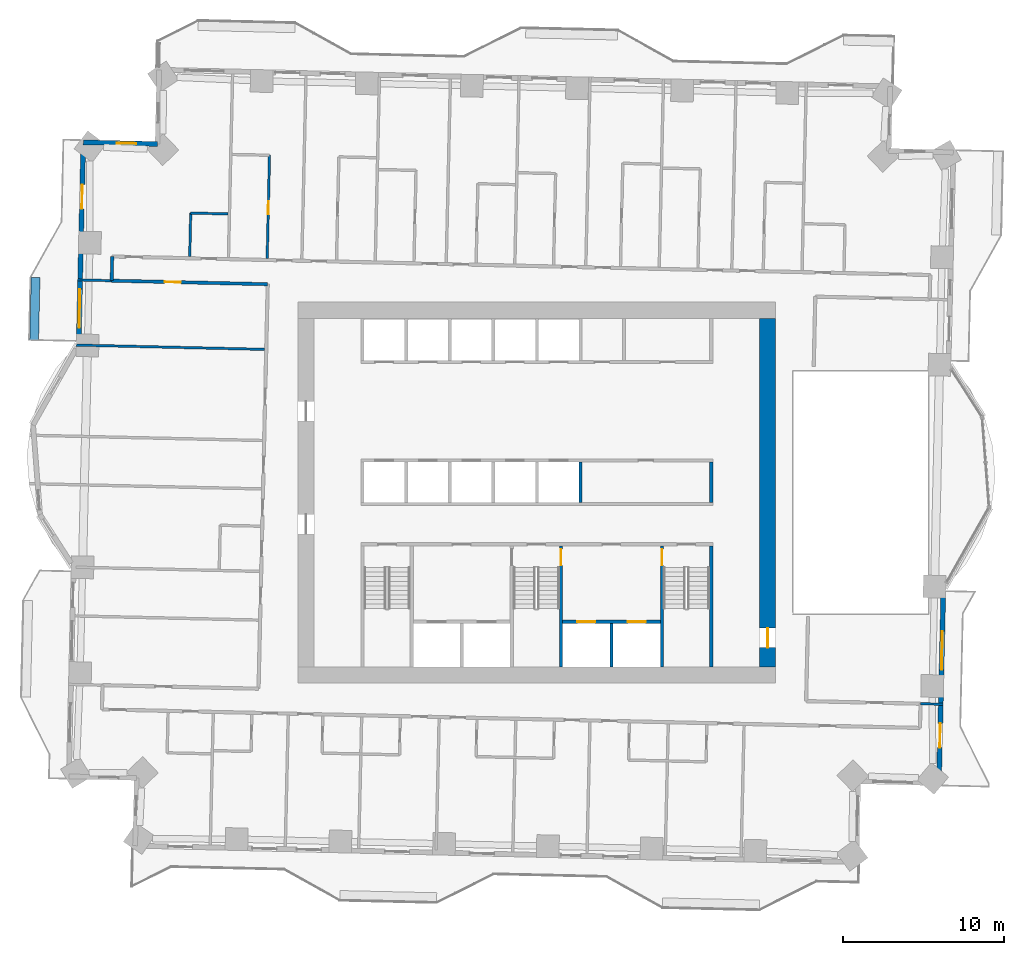
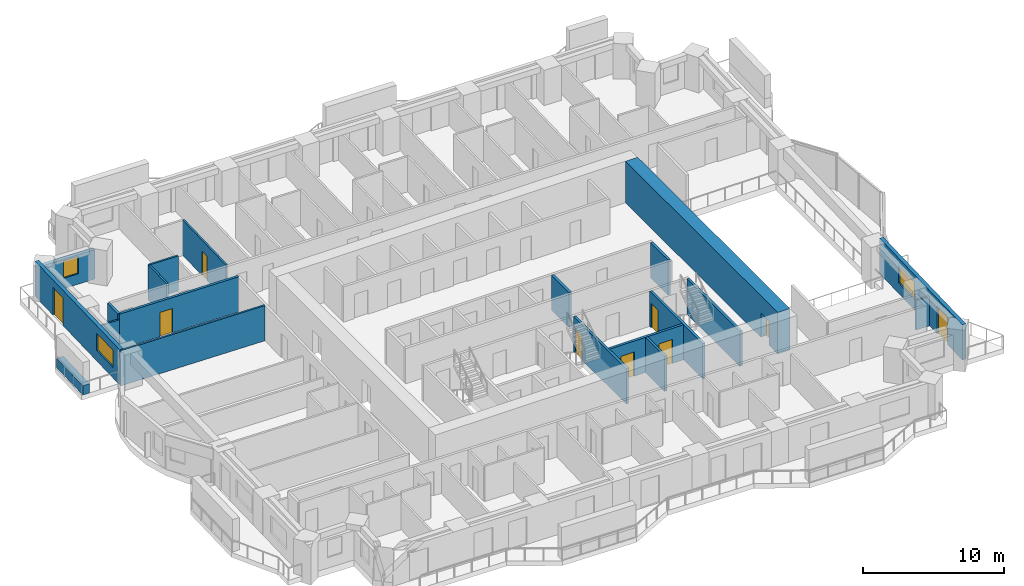
# One storey, part 9 of 16: 20 walls, 9 doors, 3 windows, 12 openings.
"""IFC4 building model written with IfcOpenShell, lengths in metres."""

from ifc_helpers import new_model, si_unit, direction, frame, frame_2d, origin, place, context, subcontext, project, spatial, rectangle, extrude, material, layer, layer_set, type_object, element, fill, save


model = new_model("IFC4")

# Units and contexts
model_context = context("Model", 3, precision=1e-05, world=origin(), true_north=direction((0.0, 1.0)))
body_context = subcontext(model_context, "Body", "Model", "MODEL_VIEW")
ifc_project = project(units=[si_unit("LENGTHUNIT", "METRE"), si_unit("AREAUNIT", "SQUARE_METRE"), si_unit("VOLUMEUNIT", "CUBIC_METRE"), si_unit("PLANEANGLEUNIT", "RADIAN"), si_unit("MASSUNIT", "GRAM", prefix="KILO")], contexts=[model_context])

# Site, building, storey
site_placement = place(None, origin())
site = spatial("IfcSite", under=ifc_project, at=site_placement, CompositionType="ELEMENT")
building_placement = place(site_placement, origin())
building = spatial("IfcBuilding", under=site, at=building_placement, Name="Mangrove Gate Tower", CompositionType="ELEMENT")
storey_placement = place(building_placement, frame((0.0, 0.0, 101.89990234375)))
storey = spatial("IfcBuildingStorey", under=building, at=storey_placement, Name="L25", CompositionType="ELEMENT", Elevation=101.89990234375)

# Wall
ifc_material_1 = material(Name="Concrete C32/40", Category="concrete")
ifc_layer_1 = layer(ifc_material_1, 0.199951171875)
ifc_layer_set_1 = layer_set([ifc_layer_1], Name="Core room wall 200 C32/40")
wall_type_1 = type_object("IfcWallType", Name="Core room wall 200 C32/40", PredefinedType="STANDARD", material=ifc_layer_set_1)
wall_1_placement = place(storey_placement, frame((10.800048828125, -0.60009765625, 0.0), z_axis=(0.0, 0.0, 1.0), x_axis=(0.0, 1.0, 0.0)))
element("IfcWall", 1, at=wall_1_placement, inside=storey, type_object=wall_type_1, Name="WALL-L25-CORE-25", PredefinedType="STANDARD", context=body_context, shape_type="SweptSolid", body=[
    extrude(rectangle(XDim=2.5, YDim=0.199951171875, at=frame_2d((1.25, 0.0))), origin(), (0.0, 0.0, 1.0), 3.050048828125),
])

# Wall, openings, doors
ifc_material_2 = material(Name="Concrete C70/85", Category="concrete")
ifc_layer_2 = layer(ifc_material_2, 0.199951171875)
ifc_layer_set_2 = layer_set([ifc_layer_2], Name="Core shaft wall 200 C70/85")
wall_type_2 = type_object("IfcWallType", Name="Core shaft wall 200 C70/85", PredefinedType="SHEAR", material=ifc_layer_set_2)
wall_2_placement = place(storey_placement, frame((1.60009765625, -8.0, 0.0), z_axis=(0.0, 0.0, 1.0), x_axis=(1.0, 0.0, 0.0)))
wall_2 = element("IfcWall", 2, at=wall_2_placement, inside=storey, type_object=wall_type_2, Name="WALL-L25-CORE-17", PredefinedType="SHEAR", context=body_context, shape_type="SweptSolid", body=[
    extrude(rectangle(XDim=6.0498046875, YDim=0.199951171875, at=frame_2d((3.02490234375, 0.0))), origin(), (0.0, 0.0, 1.0), 3.050048828125),
])
opening_1_placement = place(wall_2_placement, frame((0.91259765625, 0.0, 0.0)))
opening_1 = element("IfcOpeningElement", 3, at=opening_1_placement, cuts=wall_2, Name="Opening LD", PredefinedType="OPENING", context=body_context, shape_type="SweptSolid", body=[
    extrude(rectangle(XDim=1.10009765625, YDim=2.10009765625, at=frame_2d((0.550048828125, 1.050048828125))), frame((0.0, 0.10986328125, 0.0), z_axis=(0.0, -1.0, 0.0), x_axis=(1.0, 0.0, 0.0)), (0.0, 0.0, 1.0), 0.219970703125),
])
opening_2_placement = place(wall_2_placement, frame((4.03759765625, 0.0, 0.0)))
opening_2 = element("IfcOpeningElement", 4, at=opening_2_placement, cuts=wall_2, Name="Opening LD", PredefinedType="OPENING", context=body_context, shape_type="SweptSolid", body=[
    extrude(rectangle(XDim=1.10009765625, YDim=2.10009765625, at=frame_2d((0.550048828125, 1.050048828125))), frame((0.0, 0.10986328125, 0.0), z_axis=(0.0, -1.0, 0.0), x_axis=(1.0, 0.0, 0.0)), (0.0, 0.0, 1.0), 0.219970703125),
])
ifc_material_3 = material(Name="Stainless steel 316", Category="steel")
door_type_1 = type_object("IfcDoorType", Name="Lift landing door 1100x2100", OperationType="SLIDING_TO_LEFT", PredefinedType="DOOR", material=ifc_material_3)
door_1_placement = place(opening_1_placement, origin())
door_1 = element("IfcDoor", 5, at=door_1_placement, inside=storey, type_object=door_type_1, Name="Landing door LD FFL1", OperationType="SLIDING_TO_LEFT", OverallHeight=2.10009765625, OverallWidth=1.10009765625, PredefinedType="DOOR", context=body_context, shape_type="SweptSolid", body=[
    extrude(rectangle(XDim=1.10009765625, YDim=2.10009765625, at=frame_2d((0.550048828125, 1.050048828125))), frame((0.0, 0.02490234375, 0.0), z_axis=(0.0, -1.0, 0.0), x_axis=(1.0, 0.0, 0.0)), (0.0, 0.0, 1.0), 0.050048828125),
])
fill(opening_1, door_1)
door_2_placement = place(opening_2_placement, origin())
door_2 = element("IfcDoor", 6, at=door_2_placement, inside=storey, type_object=door_type_1, Name="Landing door LD FFL2", OperationType="SLIDING_TO_LEFT", OverallHeight=2.10009765625, OverallWidth=1.10009765625, PredefinedType="DOOR", context=body_context, shape_type="SweptSolid", body=[
    extrude(rectangle(XDim=1.10009765625, YDim=2.10009765625, at=frame_2d((0.550048828125, 1.050048828125))), frame((0.0, 0.02490234375, 0.0), z_axis=(0.0, -1.0, 0.0), x_axis=(1.0, 0.0, 0.0)), (0.0, 0.0, 1.0), 0.050048828125),
])
fill(opening_2, door_2)

# Walls
wall_3_placement = place(storey_placement, frame((4.625, -10.800048828125, 0.0), z_axis=(0.0, 0.0, 1.0), x_axis=(0.0, 1.0, 0.0)))
element("IfcWall", 7, at=wall_3_placement, inside=storey, type_object=wall_type_2, Name="WALL-L25-CORE-18", PredefinedType="SHEAR", context=body_context, shape_type="SweptSolid", body=[
    extrude(rectangle(XDim=2.699951171875, YDim=0.199951171875, at=frame_2d((1.35009765625, 0.0))), origin(), (0.0, 0.0, 1.0), 3.050048828125),
])
wall_4_placement = place(storey_placement, frame((2.699951171875, -0.60009765625, 0.0), z_axis=(0.0, 0.0, 1.0), x_axis=(0.0, 1.0, 0.0)))
element("IfcWall", 8, at=wall_4_placement, inside=storey, type_object=wall_type_2, Name="WALL-L25-CORE-24", PredefinedType="SHEAR", context=body_context, shape_type="SweptSolid", body=[
    extrude(rectangle(XDim=2.5, YDim=0.199951171875, at=frame_2d((1.25, 0.0))), origin(), (0.0, 0.0, 1.0), 3.050048828125),
])

# Wall, opening, door
ifc_material_4 = material(Name="Concrete C70/85", Category="concrete")
ifc_layer_3 = layer(ifc_material_4, 0.199951171875)
ifc_layer_set_3 = layer_set([ifc_layer_3], Name="Core stair wall 200 C70/85")
wall_type_3 = type_object("IfcWallType", Name="Core stair wall 200 C70/85", PredefinedType="SHEAR", material=ifc_layer_set_3)
wall_5_placement = place(storey_placement, frame((1.5, -10.800048828125, 0.0), z_axis=(0.0, 0.0, 1.0), x_axis=(0.0, 1.0, 0.0)))
wall_5 = element("IfcWall", 9, at=wall_5_placement, inside=storey, type_object=wall_type_3, Name="WALL-L25-CORE-12", PredefinedType="SHEAR", context=body_context, shape_type="SweptSolid", body=[
    extrude(rectangle(XDim=7.5, YDim=0.199951171875, at=frame_2d((3.75, 0.0))), origin(), (0.0, 0.0, 1.0), 3.050048828125),
])
opening_3_placement = place(wall_5_placement, frame((6.300048828125, 0.0, 0.0)))
opening_3 = element("IfcOpeningElement", 10, at=opening_3_placement, cuts=wall_5, Name="Opening STD10", PredefinedType="OPENING", context=body_context, shape_type="SweptSolid", body=[
    extrude(rectangle(XDim=1.0, YDim=2.10009765625, at=frame_2d((0.5, 1.050048828125))), frame((0.0, 0.10986328125, 0.0), z_axis=(0.0, -1.0, 0.0), x_axis=(1.0, 0.0, 0.0)), (0.0, 0.0, 1.0), 0.219970703125),
])
ifc_material_5 = material(Name="Fire-rated steel door set", Category="steel")
door_type_2 = type_object("IfcDoorType", Name="Stair door FD60 1000x2100", OperationType="SINGLE_SWING_RIGHT", PredefinedType="DOOR", material=ifc_material_5)
door_3_placement = place(opening_3_placement, origin())
door_3 = element("IfcDoor", 11, at=door_3_placement, inside=storey, type_object=door_type_2, Name="Stair door Stair 2 from fire-fighting lobby", OperationType="SINGLE_SWING_RIGHT", OverallHeight=2.10009765625, OverallWidth=1.0, PredefinedType="DOOR", context=body_context, shape_type="SweptSolid", body=[
    extrude(rectangle(XDim=1.0, YDim=2.10009765625, at=frame_2d((0.5, 1.050048828125))), frame((0.0, 0.02490234375, 0.0), z_axis=(0.0, -1.0, 0.0), x_axis=(1.0, 0.0, 0.0)), (0.0, 0.0, 1.0), 0.050048828125),
])
fill(opening_3, door_3)

wall_6_placement = place(storey_placement, frame((7.75, -10.800048828125, 0.0), z_axis=(0.0, 0.0, 1.0), x_axis=(0.0, 1.0, 0.0)))
wall_6 = element("IfcWall", 12, at=wall_6_placement, inside=storey, type_object=wall_type_3, Name="WALL-L25-CORE-13", PredefinedType="SHEAR", context=body_context, shape_type="SweptSolid", body=[
    extrude(rectangle(XDim=7.5, YDim=0.199951171875, at=frame_2d((3.75, 0.0))), origin(), (0.0, 0.0, 1.0), 3.050048828125),
])
opening_4_placement = place(wall_6_placement, frame((6.300048828125, 0.0, 0.0)))
opening_4 = element("IfcOpeningElement", 13, at=opening_4_placement, cuts=wall_6, Name="Opening STD10", PredefinedType="OPENING", context=body_context, shape_type="SweptSolid", body=[
    extrude(rectangle(XDim=1.0, YDim=2.10009765625, at=frame_2d((0.5, 1.050048828125))), frame((0.0, 0.10986328125, 0.0), z_axis=(0.0, -1.0, 0.0), x_axis=(1.0, 0.0, 0.0)), (0.0, 0.0, 1.0), 0.219970703125),
])
door_4_placement = place(opening_4_placement, origin())
door_4 = element("IfcDoor", 14, at=door_4_placement, inside=storey, type_object=door_type_2, Name="Stair door Stair 3 from fire-fighting lobby", OperationType="SINGLE_SWING_RIGHT", OverallHeight=2.10009765625, OverallWidth=1.0, PredefinedType="DOOR", context=body_context, shape_type="SweptSolid", body=[
    extrude(rectangle(XDim=1.0, YDim=2.10009765625, at=frame_2d((0.5, 1.050048828125))), frame((0.0, 0.02490234375, 0.0), z_axis=(0.0, -1.0, 0.0), x_axis=(1.0, 0.0, 0.0)), (0.0, 0.0, 1.0), 0.050048828125),
])
fill(opening_4, door_4)

# Wall
wall_7_placement = place(storey_placement, frame((10.800048828125, -10.800048828125, 0.0), z_axis=(0.0, 0.0, 1.0), x_axis=(0.0, 1.0, 0.0)))
element("IfcWall", 15, at=wall_7_placement, inside=storey, type_object=wall_type_3, Name="WALL-L25-CORE-14", PredefinedType="SHEAR", context=body_context, shape_type="SweptSolid", body=[
    extrude(rectangle(XDim=7.5, YDim=0.199951171875, at=frame_2d((3.75, 0.0))), origin(), (0.0, 0.0, 1.0), 3.050048828125),
])

# Wall, opening, door
ifc_material_6 = material(Name="Concrete C70/85", Category="concrete")
ifc_layer_4 = layer(ifc_material_6, 1.0)
ifc_layer_set_4 = layer_set([ifc_layer_4], Name="Core wall 1000 C70/85")
wall_type_4 = type_object("IfcWallType", Name="Core wall 1000 C70/85", PredefinedType="SHEAR", material=ifc_layer_set_4)
wall_8_placement = place(storey_placement, frame((14.300048828125, -10.800048828125, 0.0), z_axis=(0.0, 0.0, 1.0), x_axis=(0.0, 1.0, 0.0)))
wall_8 = element("IfcWall", 16, at=wall_8_placement, inside=storey, type_object=wall_type_4, Name="WALL-L25-CORE-4", PredefinedType="SHEAR", context=body_context, shape_type="SweptSolid", body=[
    extrude(rectangle(XDim=21.60009765625, YDim=1.0, at=frame_2d((10.800048828125, 0.0))), origin(), (0.0, 0.0, 1.0), 3.60009765625),
])
opening_5_placement = place(wall_8_placement, frame((1.199951171875, 0.0, 0.0)))
opening_5 = element("IfcOpeningElement", 17, at=opening_5_placement, cuts=wall_8, Name="Opening CD", PredefinedType="OPENING", context=body_context, shape_type="SweptSolid", body=[
    extrude(rectangle(XDim=1.199951171875, YDim=2.10009765625, at=frame_2d((0.60009765625, 1.050048828125))), frame((0.0, 0.510009765625, 0.0), z_axis=(0.0, -1.0, 0.0), x_axis=(1.0, 0.0, 0.0)), (0.0, 0.0, 1.0), 1.02001953125),
])
ifc_material_7 = material(Name="Fire-rated steel door set", Category="steel")
door_type_3 = type_object("IfcDoorType", Name="Core ring door FD60 1200x2100", OperationType="DOUBLE_DOOR_SINGLE_SWING", PredefinedType="DOOR", material=ifc_material_7)
door_5_placement = place(opening_5_placement, origin())
door_5 = element("IfcDoor", 18, at=door_5_placement, inside=storey, type_object=door_type_3, Name="Core ring door E1", OperationType="DOUBLE_DOOR_SINGLE_SWING", OverallHeight=2.10009765625, OverallWidth=1.199951171875, PredefinedType="DOOR", context=body_context, shape_type="SweptSolid", body=[
    extrude(rectangle(XDim=1.199951171875, YDim=2.10009765625, at=frame_2d((0.60009765625, 1.050048828125))), frame((0.0, 0.02490234375, 0.0), z_axis=(0.0, -1.0, 0.0), x_axis=(1.0, 0.0, 0.0)), (0.0, 0.0, 1.0), 0.050048828125),
])
fill(opening_5, door_5)

ifc_material_8 = material(Name="Gypsum board on steel stud, EI 60", Category="steel")
ifc_layer_5 = layer(ifc_material_8, 0.199951171875)
ifc_layer_set_5 = layer_set([ifc_layer_5], Name="Corridor wall EI 60")
wall_type_5 = type_object("IfcWallType", Name="Corridor wall EI 60", PredefinedType="PARTITIONING", material=ifc_layer_set_5)
wall_9_placement = place(storey_placement, frame((-26.35009765625, 13.134033203125, 0.0), z_axis=(0.0, 0.0, 1.0), x_axis=(0.999743721339, -0.022638278294, 0.0)))
wall_9 = element("IfcWall", 19, at=wall_9_placement, inside=storey, type_object=wall_type_5, Name="WALL-L25-040", PredefinedType="PARTITIONING", context=body_context, shape_type="SweptSolid", body=[
    extrude(rectangle(XDim=9.673583984375, YDim=0.199951171875, at=frame_2d((4.8369140625, 0.0))), origin(), (0.0, 0.0, 1.0), 3.050048828125),
])
opening_6_placement = place(wall_9_placement, frame((3.287109375, 0.0, 0.0)))
opening_6 = element("IfcOpeningElement", 20, at=opening_6_placement, cuts=wall_9, Name="Opening AD", PredefinedType="OPENING", context=body_context, shape_type="SweptSolid", body=[
    extrude(rectangle(XDim=1.0, YDim=2.10009765625, at=frame_2d((0.5, 1.050048828125))), frame((0.0, 0.10986328125, 0.0), z_axis=(0.0, -1.0, 0.0), x_axis=(1.0, 0.0, 0.0)), (0.0, 0.0, 1.0), 0.219970703125),
])
ifc_material_9 = material(Name="Timber door leaf", Category="wood")
door_type_4 = type_object("IfcDoorType", Name="Amenity door 1000", OperationType="SINGLE_SWING_LEFT", PredefinedType="DOOR", material=ifc_material_9)
door_6_placement = place(opening_6_placement, origin())
door_6 = element("IfcDoor", 21, at=door_6_placement, inside=storey, type_object=door_type_4, Name="DOOR-L25-GAM-c5a", OperationType="SINGLE_SWING_LEFT", OverallHeight=2.10009765625, OverallWidth=1.0, PredefinedType="DOOR", context=body_context, shape_type="SweptSolid", body=[
    extrude(rectangle(XDim=1.0, YDim=2.10009765625, at=frame_2d((0.5, 1.050048828125))), frame((0.0, 0.02490234375, 0.0), z_axis=(0.0, -1.0, 0.0), x_axis=(1.0, 0.0, 0.0)), (0.0, 0.0, 1.0), 0.050048828125),
])
fill(opening_6, door_6)

# Wall
wall_10_placement = place(storey_placement, frame((-26.345947265625, 13.137939453125, 0.0), z_axis=(0.0, 0.0, 1.0), x_axis=(0.022617910375, 0.999744182344, 0.0)))
element("IfcWall", 22, at=wall_10_placement, inside=storey, type_object=wall_type_5, Name="WALL-L25-043", PredefinedType="PARTITIONING", context=body_context, shape_type="SweptSolid", body=[
    extrude(rectangle(XDim=1.50048828125, YDim=0.199951171875, at=frame_2d((0.750244140625, 0.0))), origin(), (0.0, 0.0, 1.0), 3.050048828125),
])

# Wall, openings, door, window
ifc_material_10 = material(Name="Limestone", Category="masonry")
ifc_layer_6 = layer(ifc_material_10, 0.0400390625, Name="Limestone cladding")
ifc_material_11 = material(Name="Ventilated air gap")
ifc_layer_7 = layer(ifc_material_11, 0.0400390625, Name="Ventilated cavity")
ifc_material_12 = material(Name="Mineral wool insulation")
ifc_layer_8 = layer(ifc_material_12, 0.06005859375, Name="Insulation")
ifc_material_13 = material(Name="Breather membrane")
ifc_layer_9 = layer(ifc_material_13, 0.001953125, Name="Breather membrane")
ifc_material_14 = material(Name="Concrete C20/25 blockwork", Category="masonry")
ifc_layer_10 = layer(ifc_material_14, 0.14990234375, Name="Blockwork backing wall")
ifc_material_15 = material(Name="Gypsum plaster")
ifc_layer_11 = layer(ifc_material_15, 0.008056640625, Name="Internal plaster")
ifc_layer_set_6 = layer_set([ifc_layer_6, ifc_layer_7, ifc_layer_8, ifc_layer_9, ifc_layer_10, ifc_layer_11], Name="External wall 300 limestone cladding")
wall_type_6 = type_object("IfcWallType", Name="External wall 300 limestone cladding", PredefinedType="SOLIDWALL", material=ifc_layer_set_6)
wall_11_placement = place(storey_placement, frame((24.9150390625, -18.007080078125, 0.0), z_axis=(0.0, 0.0, 1.0), x_axis=(0.02263706344, 0.999743748847, 0.0)))
wall_11 = element("IfcWall", 23, at=wall_11_placement, inside=storey, type_object=wall_type_6, Name="WALL-L25-E0", PredefinedType="SOLIDWALL", context=body_context, shape_type="SweptSolid", body=[
    extrude(rectangle(XDim=12.230224609375, YDim=0.300048828125, at=frame_2d((6.115234375, 0.0))), origin(), (0.0, 0.0, 1.0), 3.050048828125),
])
opening_7_placement = place(wall_11_placement, frame((2.212890625, 0.0, 0.0)))
opening_7 = element("IfcOpeningElement", 24, at=opening_7_placement, cuts=wall_11, Name="Opening BD1", PredefinedType="OPENING", context=body_context, shape_type="SweptSolid", body=[
    extrude(rectangle(XDim=1.5, YDim=2.39990234375, at=frame_2d((0.75, 1.199951171875))), frame((0.0, 0.159912109375, 0.0), z_axis=(0.0, -1.0, 0.0), x_axis=(1.0, 0.0, 0.0)), (0.0, 0.0, 1.0), 0.320068359375),
])
opening_8_placement = place(wall_11_placement, frame((7.027099609375, 0.0, 0.89990234375)))
opening_8 = element("IfcOpeningElement", 25, at=opening_8_placement, cuts=wall_11, Name="Opening W2", PredefinedType="OPENING", context=body_context, shape_type="SweptSolid", body=[
    extrude(rectangle(XDim=2.39990234375, YDim=1.5, at=frame_2d((1.199951171875, 0.75))), frame((0.0, 0.159912109375, 0.0), z_axis=(0.0, -1.0, 0.0), x_axis=(1.0, 0.0, 0.0)), (0.0, 0.0, 1.0), 0.320068359375),
])
ifc_material_16 = material(Name="Aluminium frame with laminated clear glass", Category="aluminium")
door_type_5 = type_object("IfcDoorType", Name="Balcony sliding door 1500x2400", OperationType="SLIDING_TO_LEFT", PredefinedType="DOOR", material=ifc_material_16)
door_7_placement = place(opening_7_placement, origin())
door_7 = element("IfcDoor", 26, at=door_7_placement, inside=storey, type_object=door_type_5, Name="DOOR-L25-E0-1", OperationType="SLIDING_TO_LEFT", OverallHeight=2.39990234375, OverallWidth=1.5, PredefinedType="DOOR", context=body_context, shape_type="SweptSolid", body=[
    extrude(rectangle(XDim=1.5, YDim=2.39990234375, at=frame_2d((0.75, 1.199951171875))), frame((0.0, 0.02490234375, 0.0), z_axis=(0.0, -1.0, 0.0), x_axis=(1.0, 0.0, 0.0)), (0.0, 0.0, 1.0), 0.050048828125),
])
fill(opening_7, door_7)
ifc_material_17 = material(Name="Aluminium frame with double-glazed low-e glass", Category="aluminium")
window_type_1 = type_object("IfcWindowType", Name="Corner room window 2400x1500", PartitioningType="DOUBLE_PANEL_VERTICAL", PredefinedType="WINDOW", material=ifc_material_17)
window_1_placement = place(opening_8_placement, origin())
window_1 = element("IfcWindow", 27, at=window_1_placement, inside=storey, type_object=window_type_1, Name="WIN-L25-E0-2", OverallHeight=1.5, OverallWidth=2.39990234375, PartitioningType="DOUBLE_PANEL_VERTICAL", PredefinedType="WINDOW", context=body_context, shape_type="SweptSolid", body=[
    extrude(rectangle(XDim=2.39990234375, YDim=1.5, at=frame_2d((1.199951171875, 0.75))), frame((0.0, 0.030029296875, 0.0), z_axis=(0.0, -1.0, 0.0), x_axis=(1.0, 0.0, 0.0)), (0.0, 0.0, 1.0), 0.06005859375),
])
fill(opening_8, window_1)

# Wall, opening, window
wall_12_placement = place(storey_placement, frame((-23.507080078125, 21.60205078125, 0.0), z_axis=(0.0, 0.0, 1.0), x_axis=(-0.999739556364, 0.022821468877, 0.0)))
wall_12 = element("IfcWall", 28, at=wall_12_placement, inside=storey, type_object=wall_type_6, Name="WALL-L25-N7", PredefinedType="SOLIDWALL", context=body_context, shape_type="SweptSolid", body=[
    extrude(rectangle(XDim=4.60009765625, YDim=0.300048828125, at=frame_2d((2.300048828125, 0.0))), origin(), (0.0, 0.0, 1.0), 2.550048828125),
])
opening_9_placement = place(wall_12_placement, frame((1.324951171875, 0.0, 0.89990234375)))
opening_9 = element("IfcOpeningElement", 29, at=opening_9_placement, cuts=wall_12, Name="Opening W1", PredefinedType="OPENING", context=body_context, shape_type="SweptSolid", body=[
    extrude(rectangle(XDim=1.199951171875, YDim=1.5, at=frame_2d((0.60009765625, 0.75))), frame((0.0, 0.159912109375, 0.0), z_axis=(0.0, -1.0, 0.0), x_axis=(1.0, 0.0, 0.0)), (0.0, 0.0, 1.0), 0.320068359375),
])
ifc_material_18 = material(Name="Aluminium frame with double-glazed low-e glass", Category="aluminium")
window_type_2 = type_object("IfcWindowType", Name="Side lite 1200x1500", PartitioningType="SINGLE_PANEL", PredefinedType="WINDOW", material=ifc_material_18)
window_2_placement = place(opening_9_placement, origin())
window_2 = element("IfcWindow", 30, at=window_2_placement, inside=storey, type_object=window_type_2, Name="WIN-L25-N7-1", OverallHeight=1.5, OverallWidth=1.199951171875, PartitioningType="SINGLE_PANEL", PredefinedType="WINDOW", context=body_context, shape_type="SweptSolid", body=[
    extrude(rectangle(XDim=1.199951171875, YDim=1.5, at=frame_2d((0.60009765625, 0.75))), frame((0.0, 0.030029296875, 0.0), z_axis=(0.0, -1.0, 0.0), x_axis=(1.0, 0.0, 0.0)), (0.0, 0.0, 1.0), 0.06005859375),
])
fill(opening_9, window_2)

# Wall, openings, door, window
wall_13_placement = place(storey_placement, frame((-28.10595703125, 21.70703125, 0.0), z_axis=(0.0, 0.0, 1.0), x_axis=(-0.022654663697, -0.999743350172, 0.0)))
wall_13 = element("IfcWall", 31, at=wall_13_placement, inside=storey, type_object=wall_type_6, Name="WALL-L25-W8", PredefinedType="SOLIDWALL", context=body_context, shape_type="SweptSolid", body=[
    extrude(rectangle(XDim=12.630126953125, YDim=0.300048828125, at=frame_2d((6.31494140625, 0.0))), origin(), (0.0, 0.0, 1.0), 3.050048828125),
])
opening_10_placement = place(wall_13_placement, frame((2.625, 0.0, 0.0)))
opening_10 = element("IfcOpeningElement", 32, at=opening_10_placement, cuts=wall_13, Name="Opening BD1", PredefinedType="OPENING", context=body_context, shape_type="SweptSolid", body=[
    extrude(rectangle(XDim=1.5, YDim=2.39990234375, at=frame_2d((0.75, 1.199951171875))), frame((0.0, 0.159912109375, 0.0), z_axis=(0.0, -1.0, 0.0), x_axis=(1.0, 0.0, 0.0)), (0.0, 0.0, 1.0), 0.320068359375),
])
opening_11_placement = place(wall_13_placement, frame((9.10107421875, 0.0, 0.89990234375)))
opening_11 = element("IfcOpeningElement", 33, at=opening_11_placement, cuts=wall_13, Name="Opening W2", PredefinedType="OPENING", context=body_context, shape_type="SweptSolid", body=[
    extrude(rectangle(XDim=2.39990234375, YDim=1.5, at=frame_2d((1.199951171875, 0.75))), frame((0.0, 0.159912109375, 0.0), z_axis=(0.0, -1.0, 0.0), x_axis=(1.0, 0.0, 0.0)), (0.0, 0.0, 1.0), 0.320068359375),
])
door_8_placement = place(opening_10_placement, origin())
door_8 = element("IfcDoor", 34, at=door_8_placement, inside=storey, type_object=door_type_5, Name="DOOR-L25-W8-1", OperationType="SLIDING_TO_LEFT", OverallHeight=2.39990234375, OverallWidth=1.5, PredefinedType="DOOR", context=body_context, shape_type="SweptSolid", body=[
    extrude(rectangle(XDim=1.5, YDim=2.39990234375, at=frame_2d((0.75, 1.199951171875))), frame((0.0, 0.02490234375, 0.0), z_axis=(0.0, -1.0, 0.0), x_axis=(1.0, 0.0, 0.0)), (0.0, 0.0, 1.0), 0.050048828125),
])
fill(opening_10, door_8)
window_3_placement = place(opening_11_placement, origin())
window_3 = element("IfcWindow", 35, at=window_3_placement, inside=storey, type_object=window_type_1, Name="WIN-L25-W8-2", OverallHeight=1.5, OverallWidth=2.39990234375, PartitioningType="DOUBLE_PANEL_VERTICAL", PredefinedType="WINDOW", context=body_context, shape_type="SweptSolid", body=[
    extrude(rectangle(XDim=2.39990234375, YDim=1.5, at=frame_2d((1.199951171875, 0.75))), frame((0.0, 0.030029296875, 0.0), z_axis=(0.0, -1.0, 0.0), x_axis=(1.0, 0.0, 0.0)), (0.0, 0.0, 1.0), 0.06005859375),
])
fill(opening_11, window_3)

# Walls
ifc_material_19 = material(Name="Gypsum board on steel stud, EI 60", Category="steel")
ifc_layer_12 = layer(ifc_material_19, 0.14990234375)
ifc_layer_set_7 = layer_set([ifc_layer_12], Name="Party wall 150 EI 60")
wall_type_7 = type_object("IfcWallType", Name="Party wall 150 EI 60", PredefinedType="PARTITIONING", material=ifc_layer_set_7)
wall_14_placement = place(storey_placement, frame((23.77197265625, -13.0791015625, 0.0), z_axis=(0.0, 0.0, 1.0), x_axis=(0.999740667531, -0.022772739949, 0.0)))
element("IfcWall", 36, at=wall_14_placement, inside=storey, type_object=wall_type_7, Name="WALL-L25-030", PredefinedType="PARTITIONING", context=body_context, shape_type="SweptSolid", body=[
    extrude(rectangle(XDim=1.404296875, YDim=0.14990234375, at=frame_2d((0.7021484375, 0.0))), origin(), (0.0, 0.0, 1.0), 2.550048828125),
])
wall_15_placement = place(storey_placement, frame((-28.541015625, 9.14306640625, 0.0), z_axis=(0.0, 0.0, 1.0), x_axis=(0.999742008279, -0.022713803786, 0.0)))
element("IfcWall", 37, at=wall_15_placement, inside=storey, type_object=wall_type_7, Name="WALL-L25-038", PredefinedType="PARTITIONING", context=body_context, shape_type="SweptSolid", body=[
    extrude(rectangle(XDim=11.6728515625, YDim=0.14990234375, at=frame_2d((5.83642578125, 0.0))), origin(), (0.0, 0.0, 1.0), 3.050048828125),
])
wall_16_placement = place(storey_placement, frame((-28.448974609375, 13.181884765625, 0.0), z_axis=(0.0, 0.0, 1.0), x_axis=(0.999741236023, -0.022747769011, 0.0)))
element("IfcWall", 38, at=wall_16_placement, inside=storey, type_object=wall_type_7, Name="WALL-L25-039", PredefinedType="PARTITIONING", context=body_context, shape_type="SweptSolid", body=[
    extrude(rectangle(XDim=2.103515625, YDim=0.14990234375, at=frame_2d((1.0517578125, 0.0))), origin(), (0.0, 0.0, 1.0), 2.550048828125),
])
wall_17_placement = place(storey_placement, frame((-21.510986328125, 14.62890625, 0.0), z_axis=(0.0, 0.0, 1.0), x_axis=(0.022969966847, 0.999736155505, 0.0)))
element("IfcWall", 39, at=wall_17_placement, inside=storey, type_object=wall_type_7, Name="WALL-L25-046", PredefinedType="PARTITIONING", context=body_context, shape_type="SweptSolid", body=[
    extrude(rectangle(XDim=2.69970703125, YDim=0.14990234375, at=frame_2d((1.349853515625, 0.0))), origin(), (0.0, 0.0, 1.0), 3.050048828125),
])

# Wall, opening, door
wall_18_placement = place(storey_placement, frame((-16.7119140625, 14.52001953125, 0.0), z_axis=(0.0, 0.0, 1.0), x_axis=(0.022692767652, 0.999742485991, 0.0)))
wall_18 = element("IfcWall", 40, at=wall_18_placement, inside=storey, type_object=wall_type_7, Name="WALL-L25-048", PredefinedType="PARTITIONING", context=body_context, shape_type="SweptSolid", body=[
    extrude(rectangle(XDim=6.390625, YDim=0.14990234375, at=frame_2d((3.1953125, 0.0))), origin(), (0.0, 0.0, 1.0), 3.050048828125),
])
opening_12_placement = place(wall_18_placement, frame((2.7451171875, 0.0, 0.0)))
opening_12 = element("IfcOpeningElement", 41, at=opening_12_placement, cuts=wall_18, Name="Opening ED", PredefinedType="OPENING", context=body_context, shape_type="SweptSolid", body=[
    extrude(rectangle(XDim=0.800048828125, YDim=2.10009765625, at=frame_2d((0.39990234375, 1.050048828125))), frame((0.0, 0.0849609375, 0.0), z_axis=(0.0, -1.0, 0.0), x_axis=(1.0, 0.0, 0.0)), (0.0, 0.0, 1.0), 0.169921875),
])
ifc_material_20 = material(Name="Timber door leaf", Category="wood")
door_type_6 = type_object("IfcDoorType", Name="En-suite door 800", OperationType="SINGLE_SWING_LEFT", PredefinedType="DOOR", material=ifc_material_20)
door_9_placement = place(opening_12_placement, origin())
door_9 = element("IfcDoor", 42, at=door_9_placement, inside=storey, type_object=door_type_6, Name="DOOR-L25-ENS-c515", OperationType="SINGLE_SWING_LEFT", OverallHeight=2.10009765625, OverallWidth=0.800048828125, PredefinedType="DOOR", context=body_context, shape_type="SweptSolid", body=[
    extrude(rectangle(XDim=0.800048828125, YDim=2.10009765625, at=frame_2d((0.39990234375, 1.050048828125))), frame((0.0, 0.02490234375, 0.0), z_axis=(0.0, -1.0, 0.0), x_axis=(1.0, 0.0, 0.0)), (0.0, 0.0, 1.0), 0.050048828125),
])
fill(opening_12, door_9)

# Walls
wall_19_placement = place(storey_placement, frame((-21.452880859375, 17.323974609375, 0.0), z_axis=(0.0, 0.0, 1.0), x_axis=(0.999749744571, -0.022370700241, 0.0)))
element("IfcWall", 43, at=wall_19_placement, inside=storey, type_object=wall_type_7, Name="WALL-L25-065", PredefinedType="PARTITIONING", context=body_context, shape_type="SweptSolid", body=[
    extrude(rectangle(XDim=2.324462890625, YDim=0.14990234375, at=frame_2d((1.162109375, 0.0))), origin(), (0.0, 0.0, 1.0), 3.050048828125),
])
ifc_material_21 = material(Name="Concrete C32/40", Category="concrete")
ifc_layer_13 = layer(ifc_material_21, 0.199951171875, Name="Planter trough wall")
ifc_material_22 = material(Name="Bituminous waterproofing membrane")
ifc_layer_14 = layer(ifc_material_22, 0.0048828125, Name="Waterproofing")
ifc_material_23 = material(Name="Drainage board and gravel")
ifc_layer_15 = layer(ifc_material_23, 0.044921875, Name="Drainage layer")
ifc_material_24 = material(Name="Planting soil")
ifc_layer_16 = layer(ifc_material_24, 0.300048828125, Name="Growing medium")
ifc_layer_set_8 = layer_set([ifc_layer_13, ifc_layer_14, ifc_layer_15, ifc_layer_16], Name="Planter wall 550 C32/40")
wall_type_8 = type_object("IfcWallType", Name="Planter wall 550 C32/40", PredefinedType="USERDEFINED", material=ifc_layer_set_8)
wall_20_placement = place(storey_placement, frame((-31.14990234375, 9.447998046875, 0.0), z_axis=(0.0, 0.0, 1.0), x_axis=(0.022681332769, 0.999742745482, 0.0)))
element("IfcWall", 44, at=wall_20_placement, inside=storey, type_object=wall_type_8, Name="PLANTER L25 W0.1", ObjectType="PLANTER", PredefinedType="USERDEFINED", context=body_context, shape_type="SweptSolid", body=[
    extrude(rectangle(XDim=3.875, YDim=0.550048828125, at=frame_2d((1.9375, 0.0))), origin(), (0.0, 0.0, 1.0), 0.800048828125),
])

save(model, "model.ifc")
